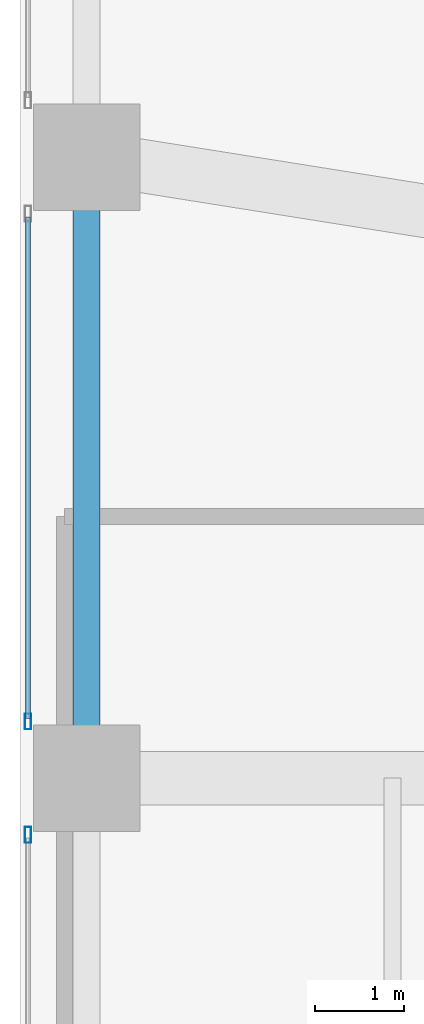
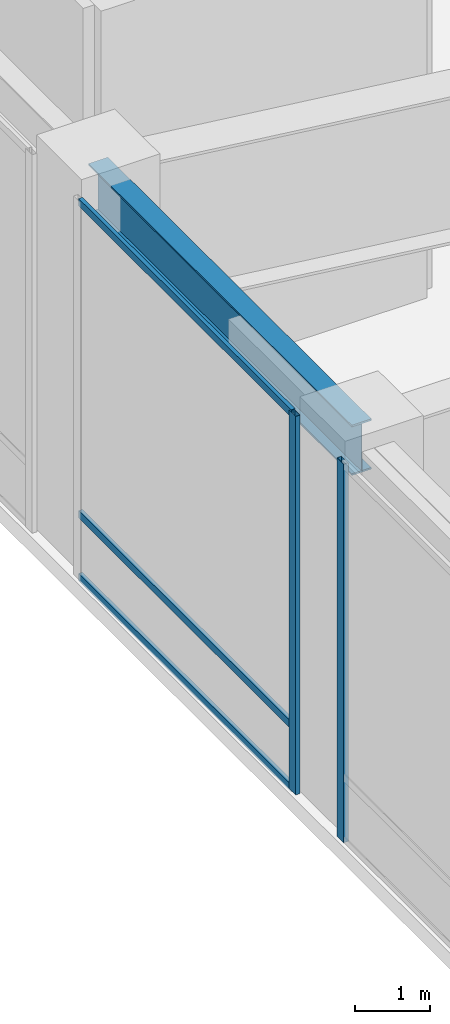
# One storey, part 13 of 50: 5 members, 1 beam, 2 elements without a shape of their own.
"""IFC4 building model written with IfcOpenShell, lengths in metres."""

from ifc_helpers import new_model, si_unit, direction, frame, origin, origin_2d, place, context, subcontext, project, spatial, hollow_rectangle, i_section, extrude, source, transform, mapped, material, layer, layer_set, material_profile, profile_set, type_object, type_shapes, element, aggregate, save


model = new_model("IFC4")

# Units and contexts
model_context = context("Model", 3, precision=1e-05, world=origin(), true_north=direction((0.0, 1.0)))
body_context = subcontext(model_context, "Body", "Model", "MODEL_VIEW")
ifc_project = project(units=[si_unit("LENGTHUNIT", "METRE"), si_unit("AREAUNIT", "SQUARE_METRE"), si_unit("VOLUMEUNIT", "CUBIC_METRE"), si_unit("PLANEANGLEUNIT", "RADIAN"), si_unit("MASSUNIT", "GRAM", prefix="KILO")], contexts=[model_context])

# Site, building, storey
site_placement = place(None, origin())
site = spatial("IfcSite", under=ifc_project, at=site_placement, CompositionType="ELEMENT")
building_placement = place(site_placement, origin())
building = spatial("IfcBuilding", under=site, at=building_placement, Name="Tolvann Quenvar Hotel", CompositionType="ELEMENT")
storey_placement = place(building_placement, frame((0.0, 0.0, 16.0)))
storey = spatial("IfcBuildingStorey", under=building, at=storey_placement, Name="L03", CompositionType="ELEMENT", Elevation=16.0)

# Beam
ifc_material_1 = material(Name="Steel Grade 350", Category="steel")
ifc_material_profile_1 = material_profile(ifc_material_1, i_section(OverallWidth=0.300048828125, OverallDepth=0.81591796875, WebThickness=0.010009765625, FlangeThickness=0.028076171875, at=origin_2d()), Name="800WB192")
ifc_profile_set_1 = profile_set([ifc_material_profile_1], Name="Steel Grade 350")
beam_type = type_object("IfcBeamType", Name="BM_GIRD_800WB192", PredefinedType="BEAM", material=ifc_profile_set_1)
shared_shape_1 = source(origin(), body_context, "Body", "SweptSolid", [
    extrude(i_section(OverallWidth=0.300048828125, OverallDepth=0.81591796875, WebThickness=0.010009765625, FlangeThickness=0.028076171875, at=origin_2d()), origin(), (0.0, 0.0, 1.0), 7.0),
])
type_shapes(beam_type, [shared_shape_1])
beam_placement = place(storey_placement, frame((-7.64990234375, 24.39990234375, 5.73193359375), z_axis=(0.0, 1.0, 0.0), x_axis=(-1.0, 0.0, 0.0)))
element("IfcBeam", 1, at=beam_placement, inside=storey, type_object=beam_type, Name="BM-L03-NS-A-3", PredefinedType="BEAM", context=body_context, shape_type="MappedRepresentation", body=[
    mapped(shared_shape_1, transform((0.0, 0.0, 0.0), x_axis=(1.0, 0.0, 0.0), y_axis=(0.0, 1.0, 0.0), z_axis=(0.0, 0.0, 1.0), scale=1.0)),
])

# Curtain wall, member
ifc_material_2 = material(Name="Thermally broken anodised architectural aluminium 6063-T6 and laminated low-E glass", Category="aluminium")
ifc_layer = layer(ifc_material_2, 0.179931640625)
ifc_layer_set = layer_set([ifc_layer], Name="Thermally broken anodised architectural aluminium 6063-T6 and laminated low-E glass")
curtain_wall_type = type_object("IfcCurtainWallType", Name="CW_SYS_BALL_02", PredefinedType="USERDEFINED", material=ifc_layer_set)
curtain_wall_1_placement = place(storey_placement, origin())
curtain_wall_1 = element("IfcCurtainWall", 2, at=curtain_wall_1_placement, inside=storey, type_object=curtain_wall_type, Name="Curtain Wall CW-BALL-02 (CWR-L03-E07-S3)", ObjectType="UNITISED CURTAIN WALL", PredefinedType="USERDEFINED")
ifc_material_3 = material(Name="Anodised architectural aluminium 6063-T6 framing", Category="aluminium")
ifc_material_profile_2 = material_profile(ifc_material_3, hollow_rectangle(XDim=0.070068359375, YDim=0.179931640625, WallThickness=0.00390625, at=origin_2d()), Name="180x70x4RHS")
ifc_profile_set_2 = profile_set([ifc_material_profile_2], Name="Anodised architectural aluminium 6063-T6 framing")
member_type_1 = type_object("IfcMemberType", Name="CW_MULL_180x70", PredefinedType="MULLION", material=ifc_profile_set_2)
shared_shape_2 = source(origin(), body_context, "Body", "SweptSolid", [
    extrude(hollow_rectangle(XDim=0.070068359375, YDim=0.179931640625, WallThickness=0.00390625, at=origin_2d()), origin(), (0.0, 0.0, 1.0), 6.139892578125),
])
type_shapes(member_type_1, [shared_shape_2])
member_1_placement = place(storey_placement, frame((-8.31005859375, 25.0390625, 0.0), z_axis=(0.0, 0.0, 1.0), x_axis=(1.0, 0.0, 0.0)))
member_1 = element("IfcMember", 3, at=member_1_placement, type_object=member_type_1, Name="CW-BALL-02 mullion 2", PredefinedType="MULLION", context=body_context, shape_type="MappedRepresentation", body=[
    mapped(shared_shape_2, transform((0.0, 0.0, 0.0), x_axis=(1.0, 0.0, 0.0), y_axis=(0.0, 1.0, 0.0), z_axis=(0.0, 0.0, 1.0), scale=1.0)),
])

curtain_wall_2_placement = place(storey_placement, origin())
curtain_wall_2 = element("IfcCurtainWall", 4, at=curtain_wall_2_placement, inside=storey, type_object=curtain_wall_type, Name="Curtain Wall CW-BALL-02 (CWR-L03-E07-S4)", ObjectType="UNITISED CURTAIN WALL", PredefinedType="USERDEFINED")
member_2_placement = place(storey_placement, frame((-8.31005859375, 23.760986328125, 0.0), z_axis=(0.0, 0.0, 1.0), x_axis=(1.0, 0.0, 0.0)))
member_2 = element("IfcMember", 5, at=member_2_placement, type_object=member_type_1, Name="CW-BALL-02 mullion 1", PredefinedType="MULLION", context=body_context, shape_type="MappedRepresentation", body=[
    mapped(shared_shape_2, transform((0.0, 0.0, 0.0), x_axis=(1.0, 0.0, 0.0), y_axis=(0.0, 1.0, 0.0), z_axis=(0.0, 0.0, 1.0), scale=1.0)),
])
aggregate(curtain_wall_2, [member_2])

# Member
ifc_material_profile_3 = material_profile(ifc_material_3, hollow_rectangle(XDim=0.06005859375, YDim=0.1201171875, WallThickness=0.00341796875, at=origin_2d()), Name="120x60x3.5RHS")
ifc_profile_set_3 = profile_set([ifc_material_profile_3], Name="Anodised architectural aluminium 6063-T6 framing")
member_type_2 = type_object("IfcMemberType", Name="CW_TRAN_120x60", PredefinedType="USERDEFINED", material=ifc_profile_set_3)
shared_shape_3 = source(origin(), body_context, "Body", "SweptSolid", [
    extrude(hollow_rectangle(XDim=0.06005859375, YDim=0.1201171875, WallThickness=0.00341796875, at=origin_2d()), origin(), (0.0, 0.0, 1.0), 5.652099609375),
])
type_shapes(member_type_2, [shared_shape_3])
member_3_placement = place(storey_placement, frame((-8.31005859375, 30.72607421875, 0.030029296875), z_axis=(0.0, -1.0, 0.0), x_axis=(1.0, 0.0, 0.0)))
member_3 = element("IfcMember", 6, at=member_3_placement, type_object=member_type_2, Name="CW-BALL-02 transom 1.1", ObjectType="TRANSOM", PredefinedType="USERDEFINED", context=body_context, shape_type="MappedRepresentation", body=[
    mapped(shared_shape_3, transform((0.0, 0.0, 0.0), x_axis=(1.0, 0.0, 0.0), y_axis=(0.0, 1.0, 0.0), z_axis=(0.0, 0.0, 1.0), scale=1.0)),
])

member_4_placement = place(storey_placement, frame((-8.31005859375, 30.72607421875, 1.050048828125), z_axis=(0.0, -1.0, 0.0), x_axis=(1.0, 0.0, 0.0)))
member_4 = element("IfcMember", 7, at=member_4_placement, type_object=member_type_2, Name="CW-BALL-02 transom 1.2", ObjectType="TRANSOM", PredefinedType="USERDEFINED", context=body_context, shape_type="MappedRepresentation", body=[
    mapped(shared_shape_3, transform((0.0, 0.0, 0.0), x_axis=(1.0, 0.0, 0.0), y_axis=(0.0, 1.0, 0.0), z_axis=(0.0, 0.0, 1.0), scale=1.0)),
])

member_5_placement = place(storey_placement, frame((-8.31005859375, 30.72607421875, 6.110107421875), z_axis=(0.0, -1.0, 0.0), x_axis=(1.0, 0.0, 0.0)))
member_5 = element("IfcMember", 8, at=member_5_placement, type_object=member_type_2, Name="CW-BALL-02 transom 1.3", ObjectType="TRANSOM", PredefinedType="USERDEFINED", context=body_context, shape_type="MappedRepresentation", body=[
    mapped(shared_shape_3, transform((0.0, 0.0, 0.0), x_axis=(1.0, 0.0, 0.0), y_axis=(0.0, 1.0, 0.0), z_axis=(0.0, 0.0, 1.0), scale=1.0)),
])

aggregate(curtain_wall_1, [member_1, member_3, member_4, member_5])

save(model, "model.ifc")
